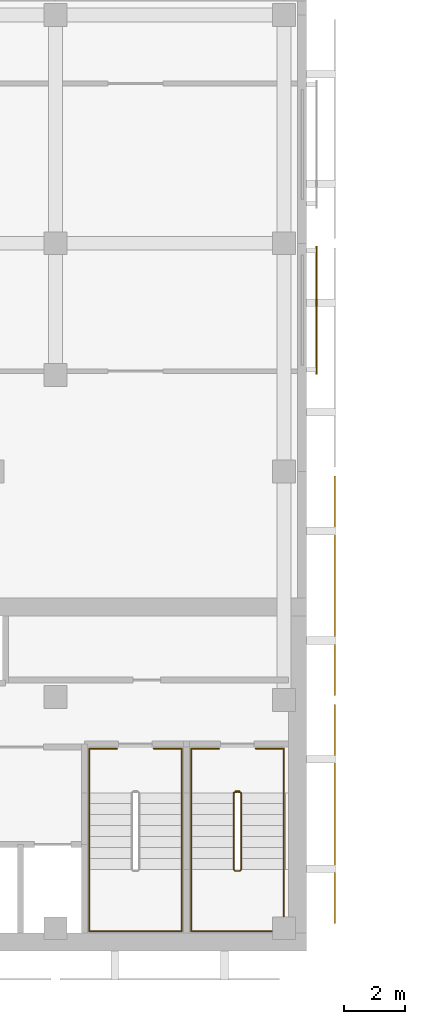
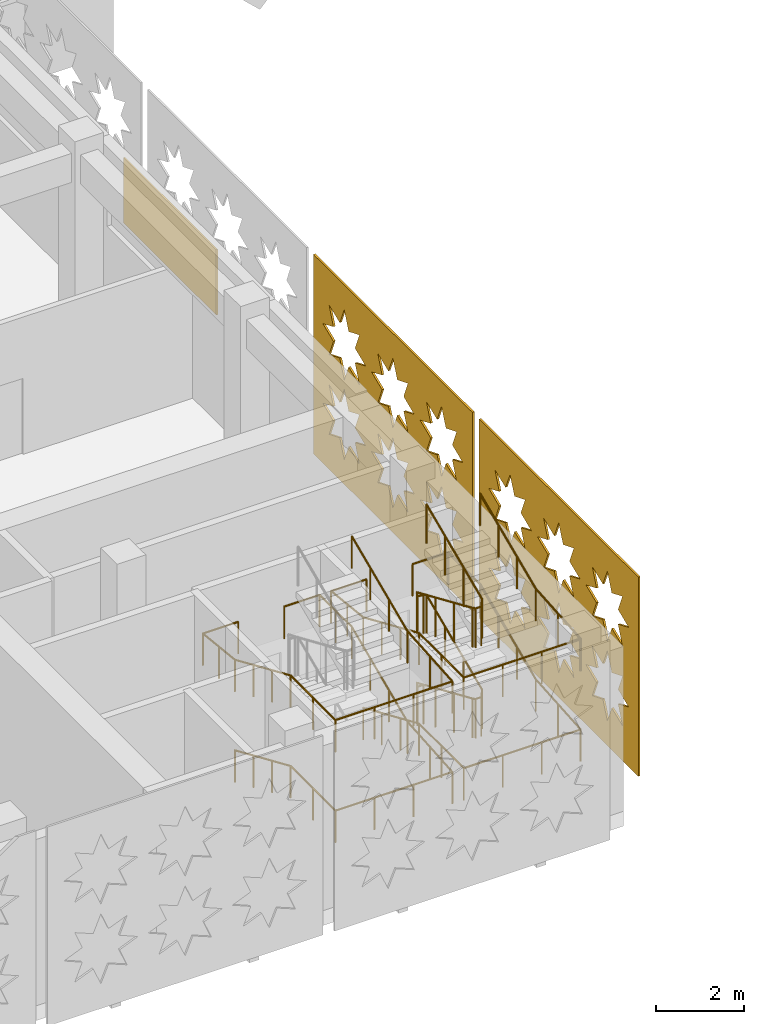
# One storey, part 31 of 40: 5 railings, 3 coverings.
"""IFC4 building model written with IfcOpenShell, lengths in metres."""

from ifc_helpers import new_model, si_unit, direction, frame, origin, origin_2d, place, context, subcontext, project, spatial, polyline, rectangle, circle, outline, extrude, material, layer, layer_set, type_object, element, save


model = new_model("IFC4")

# Units and contexts
model_context = context("Model", 3, precision=1e-05, world=origin(), true_north=direction((0.0, 1.0)))
body_context = subcontext(model_context, "Body", "Model", "MODEL_VIEW")
ifc_project = project(units=[si_unit("LENGTHUNIT", "METRE"), si_unit("AREAUNIT", "SQUARE_METRE"), si_unit("VOLUMEUNIT", "CUBIC_METRE"), si_unit("PLANEANGLEUNIT", "RADIAN"), si_unit("MASSUNIT", "GRAM", prefix="KILO")], contexts=[model_context])

# Site, building, storey
site_placement = place(None, origin())
site = spatial("IfcSite", under=ifc_project, at=site_placement, CompositionType="ELEMENT")
building_placement = place(site_placement, origin())
building = spatial("IfcBuilding", under=site, at=building_placement, Name="Tessera Arch", CompositionType="ELEMENT")
storey_placement = place(building_placement, frame((0.0, 0.0, 21.0)))
storey = spatial("IfcBuildingStorey", under=building, at=storey_placement, Name="L03", CompositionType="ELEMENT", Elevation=21.0)

# Coverings
ifc_material_1 = material(Name="Anodised aluminium pale metal", Category="aluminium")
ifc_layer_1 = layer(ifc_material_1, 0.050048828125)
ifc_layer_set_1 = layer_set([ifc_layer_1], Name="Museum lattice skin panel")
covering_type_1 = type_object("IfcCoveringType", Name="Museum lattice skin panel", PredefinedType="CLADDING", material=ifc_layer_set_1)
covering_1_placement = place(storey_placement, frame((14.85009765625, -31.64990234375, 5.60009765625), z_axis=(-1.0, 0.0, 0.0), x_axis=(0.0, 1.0, 0.0)))
element("IfcCovering", 1, at=covering_1_placement, inside=storey, type_object=covering_type_1, Name="Museum lattice skin L03 2-2", PredefinedType="CLADDING", context=body_context, shape_type="SweptSolid", body=[
    extrude(outline(polyline([(0.0, 0.0), (7.199951171875, 0.0), (7.199951171875, 5.5), (0.0, 5.5), (0.0, 0.0)]), holes=[polyline([(2.367919921875, 3.85009765625), (1.887939453125, 3.648193359375), (2.083984375, 3.166015625), (1.601806640625, 3.362060546875), (1.39990234375, 2.882080078125), (1.197998046875, 3.362060546875), (0.7158203125, 3.166015625), (0.911865234375, 3.648193359375), (0.431884765625, 3.85009765625), (0.911865234375, 4.052001953125), (0.7158203125, 4.5341796875), (1.197998046875, 4.338134765625), (1.39990234375, 4.818115234375), (1.601806640625, 4.338134765625), (2.083984375, 4.5341796875), (1.887939453125, 4.052001953125), (2.367919921875, 3.85009765625)]), polyline([(2.367919921875, 1.650146484375), (1.887939453125, 1.447998046875), (2.083984375, 0.966064453125), (1.601806640625, 1.162109375), (1.39990234375, 0.68212890625), (1.197998046875, 1.162109375), (0.7158203125, 0.966064453125), (0.911865234375, 1.447998046875), (0.431884765625, 1.650146484375), (0.911865234375, 1.85205078125), (0.7158203125, 2.333984375), (1.197998046875, 2.13818359375), (1.39990234375, 2.6181640625), (1.601806640625, 2.13818359375), (2.083984375, 2.333984375), (1.887939453125, 1.85205078125), (2.367919921875, 1.650146484375)]), polyline([(4.56787109375, 3.85009765625), (4.087890625, 3.648193359375), (4.283935546875, 3.166015625), (3.802001953125, 3.362060546875), (3.599853515625, 2.882080078125), (3.39794921875, 3.362060546875), (2.916015625, 3.166015625), (3.11181640625, 3.648193359375), (2.6318359375, 3.85009765625), (3.11181640625, 4.052001953125), (2.916015625, 4.5341796875), (3.39794921875, 4.338134765625), (3.599853515625, 4.818115234375), (3.802001953125, 4.338134765625), (4.283935546875, 4.5341796875), (4.087890625, 4.052001953125), (4.56787109375, 3.85009765625)]), polyline([(4.56787109375, 1.650146484375), (4.087890625, 1.447998046875), (4.283935546875, 0.966064453125), (3.802001953125, 1.162109375), (3.599853515625, 0.68212890625), (3.39794921875, 1.162109375), (2.916015625, 0.966064453125), (3.11181640625, 1.447998046875), (2.6318359375, 1.650146484375), (3.11181640625, 1.85205078125), (2.916015625, 2.333984375), (3.39794921875, 2.13818359375), (3.599853515625, 2.6181640625), (3.802001953125, 2.13818359375), (4.283935546875, 2.333984375), (4.087890625, 1.85205078125), (4.56787109375, 1.650146484375)]), polyline([(6.767822265625, 3.85009765625), (6.287841796875, 3.648193359375), (6.48388671875, 3.166015625), (6.001953125, 3.362060546875), (5.7998046875, 2.882080078125), (5.597900390625, 3.362060546875), (5.115966796875, 3.166015625), (5.31201171875, 3.648193359375), (4.831787109375, 3.85009765625), (5.31201171875, 4.052001953125), (5.115966796875, 4.5341796875), (5.597900390625, 4.338134765625), (5.7998046875, 4.818115234375), (6.001953125, 4.338134765625), (6.48388671875, 4.5341796875), (6.287841796875, 4.052001953125), (6.767822265625, 3.85009765625)]), polyline([(6.767822265625, 1.650146484375), (6.287841796875, 1.447998046875), (6.48388671875, 0.966064453125), (6.001953125, 1.162109375), (5.7998046875, 0.68212890625), (5.597900390625, 1.162109375), (5.115966796875, 0.966064453125), (5.31201171875, 1.447998046875), (4.831787109375, 1.650146484375), (5.31201171875, 1.85205078125), (5.115966796875, 2.333984375), (5.597900390625, 2.13818359375), (5.7998046875, 2.6181640625), (6.001953125, 2.13818359375), (6.48388671875, 2.333984375), (6.287841796875, 1.85205078125), (6.767822265625, 1.650146484375)])]), origin(), (0.0, 0.0, -1.0), 0.050048828125),
])
covering_2_placement = place(storey_placement, frame((14.85009765625, -24.14990234375, 5.60009765625), z_axis=(-1.0, 0.0, 0.0), x_axis=(0.0, 1.0, 0.0)))
element("IfcCovering", 2, at=covering_2_placement, inside=storey, type_object=covering_type_1, Name="Museum lattice skin L03 2-3", PredefinedType="CLADDING", context=body_context, shape_type="SweptSolid", body=[
    extrude(outline(polyline([(0.0, 0.0), (7.199951171875, 0.0), (7.199951171875, 5.5), (0.0, 5.5), (0.0, 0.0)]), holes=[polyline([(2.367919921875, 3.85009765625), (1.887939453125, 3.648193359375), (2.083984375, 3.166015625), (1.601806640625, 3.362060546875), (1.39990234375, 2.882080078125), (1.197998046875, 3.362060546875), (0.7158203125, 3.166015625), (0.911865234375, 3.648193359375), (0.431884765625, 3.85009765625), (0.911865234375, 4.052001953125), (0.7158203125, 4.5341796875), (1.197998046875, 4.338134765625), (1.39990234375, 4.818115234375), (1.601806640625, 4.338134765625), (2.083984375, 4.5341796875), (1.887939453125, 4.052001953125), (2.367919921875, 3.85009765625)]), polyline([(2.367919921875, 1.650146484375), (1.887939453125, 1.447998046875), (2.083984375, 0.966064453125), (1.601806640625, 1.162109375), (1.39990234375, 0.68212890625), (1.197998046875, 1.162109375), (0.7158203125, 0.966064453125), (0.911865234375, 1.447998046875), (0.431884765625, 1.650146484375), (0.911865234375, 1.85205078125), (0.7158203125, 2.333984375), (1.197998046875, 2.13818359375), (1.39990234375, 2.6181640625), (1.601806640625, 2.13818359375), (2.083984375, 2.333984375), (1.887939453125, 1.85205078125), (2.367919921875, 1.650146484375)]), polyline([(4.56787109375, 3.85009765625), (4.087890625, 3.648193359375), (4.283935546875, 3.166015625), (3.802001953125, 3.362060546875), (3.599853515625, 2.882080078125), (3.39794921875, 3.362060546875), (2.916015625, 3.166015625), (3.11181640625, 3.648193359375), (2.6318359375, 3.85009765625), (3.11181640625, 4.052001953125), (2.916015625, 4.5341796875), (3.39794921875, 4.338134765625), (3.599853515625, 4.818115234375), (3.802001953125, 4.338134765625), (4.283935546875, 4.5341796875), (4.087890625, 4.052001953125), (4.56787109375, 3.85009765625)]), polyline([(4.56787109375, 1.650146484375), (4.087890625, 1.447998046875), (4.283935546875, 0.966064453125), (3.802001953125, 1.162109375), (3.599853515625, 0.68212890625), (3.39794921875, 1.162109375), (2.916015625, 0.966064453125), (3.11181640625, 1.447998046875), (2.6318359375, 1.650146484375), (3.11181640625, 1.85205078125), (2.916015625, 2.333984375), (3.39794921875, 2.13818359375), (3.599853515625, 2.6181640625), (3.802001953125, 2.13818359375), (4.283935546875, 2.333984375), (4.087890625, 1.85205078125), (4.56787109375, 1.650146484375)]), polyline([(6.767822265625, 3.85009765625), (6.287841796875, 3.648193359375), (6.48388671875, 3.166015625), (6.001953125, 3.362060546875), (5.7998046875, 2.882080078125), (5.597900390625, 3.362060546875), (5.115966796875, 3.166015625), (5.31201171875, 3.648193359375), (4.831787109375, 3.85009765625), (5.31201171875, 4.052001953125), (5.115966796875, 4.5341796875), (5.597900390625, 4.338134765625), (5.7998046875, 4.818115234375), (6.001953125, 4.338134765625), (6.48388671875, 4.5341796875), (6.287841796875, 4.052001953125), (6.767822265625, 3.85009765625)]), polyline([(6.767822265625, 1.650146484375), (6.287841796875, 1.447998046875), (6.48388671875, 0.966064453125), (6.001953125, 1.162109375), (5.7998046875, 0.68212890625), (5.597900390625, 1.162109375), (5.115966796875, 0.966064453125), (5.31201171875, 1.447998046875), (4.831787109375, 1.650146484375), (5.31201171875, 1.85205078125), (5.115966796875, 2.333984375), (5.597900390625, 2.13818359375), (5.7998046875, 2.6181640625), (6.001953125, 2.13818359375), (6.48388671875, 2.333984375), (6.287841796875, 1.85205078125), (6.767822265625, 1.650146484375)])]), origin(), (0.0, 0.0, -1.0), 0.050048828125),
])
ifc_material_2 = material(Name="Anodised aluminium pale metal", Category="aluminium")
ifc_layer_2 = layer(ifc_material_2, 0.0400390625)
ifc_layer_set_2 = layer_set([ifc_layer_2], Name="Museum screen panel")
covering_type_2 = type_object("IfcCoveringType", Name="Museum screen panel", PredefinedType="CLADDING", material=ifc_layer_set_2)
covering_3_placement = place(storey_placement, frame((14.27001953125, -11.5, 2.10009765625), z_axis=(0.0, 0.0, 1.0), x_axis=(0.0, 1.0, 0.0)))
element("IfcCovering", 3, at=covering_3_placement, inside=storey, type_object=covering_type_2, Name="Screen panel museum L03 2-4", PredefinedType="CLADDING", context=body_context, shape_type="SweptSolid", body=[
    extrude(rectangle(XDim=4.199951171875, YDim=0.0400390625, at=origin_2d()), origin(), (0.0, 0.0, 1.0), 1.800048828125),
])

# Railings
ifc_material_3 = material(Name="Painted steel balustrade", Category="steel")
railing_type_1 = type_object("IfcRailingType", Name="Stair guard 1100", PredefinedType="GUARDRAIL", material=ifc_material_3)
railing_1_placement = place(storey_placement, frame((11.60009765625, -27.300048828125, 0.0)))
element("IfcRailing", 4, at=railing_1_placement, inside=storey, type_object=railing_type_1, Name="L03 M3a stair guard 1", PredefinedType="GUARDRAIL", context=body_context, shape_type="SweptSolid", body=[
    extrude(circle(Radius=0.02392578125, at=origin_2d()), frame((-0.00390625, 0.0, 1.076171875), z_axis=(1.0, 0.0, 0.0), x_axis=(0.0, 1.0, 0.0)), (0.0, 0.0, 1.0), 0.157958984375),
    extrude(circle(Radius=0.02392578125, at=origin_2d()), frame((0.153076171875, 0.000732421875, 1.07373046875), z_axis=(-0.77305925043, -0.19350078918, 0.604100024756), x_axis=(0.242814311512, -0.970072785993, 0.0)), (0.0, 0.0, 1.0), 0.2666015625),
    extrude(circle(Radius=0.02392578125, at=origin_2d()), frame((-0.050048828125, -0.04638671875, 1.230712890625), z_axis=(0.0, -0.917324189904, 0.398141093855), x_axis=(1.0, 0.0, 0.0)), (0.0, 0.0, 1.0), 2.755126953125),
    extrude(circle(Radius=0.02392578125, at=origin_2d()), frame((-0.052978515625, -2.567138671875, 2.326171875), z_axis=(0.708833529934, -0.705375805398, 0.0), x_axis=(0.705375805398, 0.708833529934, 0.0)), (0.0, 0.0, 1.0), 0.07861328125),
    extrude(circle(Radius=0.02392578125, at=origin_2d()), frame((-0.00390625, -2.619873046875, 2.326171875), z_axis=(1.0, 0.0, 0.0), x_axis=(0.0, 1.0, 0.0)), (0.0, 0.0, 1.0), 0.157958984375),
    extrude(circle(Radius=0.02392578125, at=origin_2d()), frame((0.148681640625, -2.62109375, 2.322509765625), z_axis=(0.291893400672, 0.290469530425, 0.911276958196), x_axis=(-0.705375805398, 0.708833529934, 0.0)), (0.0, 0.0, 1.0), 0.179443359375),
    extrude(circle(Radius=0.02392578125, at=origin_2d()), frame((0.199951171875, -2.57373046875, 2.480712890625), z_axis=(0.0, 0.917324189904, 0.398141093855), x_axis=(-1.0, 0.0, 0.0)), (0.0, 0.0, 1.0), 2.755126953125),
    extrude(circle(Radius=0.02392578125, at=origin_2d()), frame((0.203857421875, -0.051025390625, 3.576171875), z_axis=(-0.970072785993, 0.242814311512, 0.0), x_axis=(-0.242814311512, -0.970072785993, 0.0)), (0.0, 0.0, 1.0), 0.214111328125),
    extrude(circle(Radius=0.02392578125, at=origin_2d()), frame((-0.00390625, 0.0, 3.576171875), z_axis=(1.0, 0.0, 0.0), x_axis=(0.0, 1.0, 0.0)), (0.0, 0.0, 1.0), 0.157958984375),
    extrude(circle(Radius=0.02392578125, at=origin_2d()), frame((0.153076171875, 0.000732421875, 3.57373046875), z_axis=(-0.77305925043, -0.19350078918, 0.604100024756), x_axis=(0.242814311512, -0.970072785993, 0.0)), (0.0, 0.0, 1.0), 0.2666015625),
    extrude(circle(Radius=0.02392578125, at=origin_2d()), frame((-0.050048828125, -0.04638671875, 3.730712890625), z_axis=(0.0, -0.917324189904, 0.398141093855), x_axis=(1.0, 0.0, 0.0)), (0.0, 0.0, 1.0), 2.755126953125),
    extrude(circle(Radius=0.02392578125, at=origin_2d()), frame((-0.052978515625, -2.567138671875, 4.826171875), z_axis=(0.708833529934, -0.705375805398, 0.0), x_axis=(0.705375805398, 0.708833529934, 0.0)), (0.0, 0.0, 1.0), 0.07861328125),
    extrude(circle(Radius=0.02392578125, at=origin_2d()), frame((-0.00390625, -2.619873046875, 4.826171875), z_axis=(1.0, 0.0, 0.0), x_axis=(0.0, 1.0, 0.0)), (0.0, 0.0, 1.0), 0.157958984375),
    extrude(circle(Radius=0.02392578125, at=origin_2d()), frame((0.148681640625, -2.62109375, 4.822509765625), z_axis=(0.291893400672, 0.290469530425, 0.911276958196), x_axis=(-0.705375805398, 0.708833529934, 0.0)), (0.0, 0.0, 1.0), 0.179443359375),
    extrude(circle(Radius=0.02392578125, at=origin_2d()), frame((0.199951171875, -2.57373046875, 4.980712890625), z_axis=(0.0, 0.917324189904, 0.398141093855), x_axis=(-1.0, 0.0, 0.0)), (0.0, 0.0, 1.0), 2.755126953125),
    extrude(circle(Radius=0.02099609375, at=origin_2d()), origin(), (0.0, 0.0, 1.0), 1.06396484375),
    extrude(circle(Radius=0.02099609375, at=origin_2d()), frame((0.14990234375, 0.0, 0.0)), (0.0, 0.0, 1.0), 1.06396484375),
    extrude(circle(Radius=0.02099609375, at=origin_2d()), frame((-0.050048828125, -0.050048828125, 0.15625)), (0.0, 0.0, 1.0), 1.06396484375),
    extrude(circle(Radius=0.02099609375, at=origin_2d()), frame((-0.050048828125, -0.89013671875, 0.520751953125)), (0.0, 0.0, 1.0), 1.06396484375),
    extrude(circle(Radius=0.02099609375, at=origin_2d()), frame((-0.050048828125, -1.72998046875, 0.885498046875)), (0.0, 0.0, 1.0), 1.06396484375),
    extrude(circle(Radius=0.02099609375, at=origin_2d()), frame((-0.050048828125, -2.570068359375, 1.25)), (0.0, 0.0, 1.0), 1.06396484375),
    extrude(circle(Radius=0.02099609375, at=origin_2d()), frame((0.0, -2.619873046875, 1.25)), (0.0, 0.0, 1.0), 1.06396484375),
    extrude(circle(Radius=0.02099609375, at=origin_2d()), frame((0.14990234375, -2.619873046875, 1.25)), (0.0, 0.0, 1.0), 1.06396484375),
    extrude(circle(Radius=0.02099609375, at=origin_2d()), frame((0.199951171875, -2.570068359375, 1.40625)), (0.0, 0.0, 1.0), 1.06396484375),
    extrude(circle(Radius=0.02099609375, at=origin_2d()), frame((0.199951171875, -1.72998046875, 1.770751953125)), (0.0, 0.0, 1.0), 1.06396484375),
    extrude(circle(Radius=0.02099609375, at=origin_2d()), frame((0.199951171875, -0.89013671875, 2.135498046875)), (0.0, 0.0, 1.0), 1.06396484375),
    extrude(circle(Radius=0.02099609375, at=origin_2d()), frame((0.199951171875, -0.050048828125, 2.5)), (0.0, 0.0, 1.0), 1.06396484375),
    extrude(circle(Radius=0.02099609375, at=origin_2d()), frame((0.0, 0.0, 2.5)), (0.0, 0.0, 1.0), 1.06396484375),
    extrude(circle(Radius=0.02099609375, at=origin_2d()), frame((0.14990234375, 0.0, 2.5)), (0.0, 0.0, 1.0), 1.06396484375),
    extrude(circle(Radius=0.02099609375, at=origin_2d()), frame((-0.050048828125, -0.050048828125, 2.65625)), (0.0, 0.0, 1.0), 1.06396484375),
    extrude(circle(Radius=0.02099609375, at=origin_2d()), frame((-0.050048828125, -0.89013671875, 3.020751953125)), (0.0, 0.0, 1.0), 1.06396484375),
    extrude(circle(Radius=0.02099609375, at=origin_2d()), frame((-0.050048828125, -1.72998046875, 3.385498046875)), (0.0, 0.0, 1.0), 1.06396484375),
    extrude(circle(Radius=0.02099609375, at=origin_2d()), frame((-0.050048828125, -2.570068359375, 3.75)), (0.0, 0.0, 1.0), 1.06396484375),
    extrude(circle(Radius=0.02099609375, at=origin_2d()), frame((0.0, -2.619873046875, 3.75)), (0.0, 0.0, 1.0), 1.06396484375),
    extrude(circle(Radius=0.02099609375, at=origin_2d()), frame((0.14990234375, -2.619873046875, 3.75)), (0.0, 0.0, 1.0), 1.06396484375),
    extrude(circle(Radius=0.02099609375, at=origin_2d()), frame((0.199951171875, -2.570068359375, 3.90625)), (0.0, 0.0, 1.0), 1.06396484375),
    extrude(circle(Radius=0.02099609375, at=origin_2d()), frame((0.199951171875, -1.72998046875, 4.270751953125)), (0.0, 0.0, 1.0), 1.06396484375),
    extrude(circle(Radius=0.02099609375, at=origin_2d()), frame((0.199951171875, -0.89013671875, 4.635498046875)), (0.0, 0.0, 1.0), 1.06396484375),
    extrude(circle(Radius=0.02099609375, at=origin_2d()), frame((0.199951171875, -0.050048828125, 5.0)), (0.0, 0.0, 1.0), 1.06396484375),
])
ifc_material_4 = material(Name="Painted steel handrail", Category="steel")
railing_type_2 = type_object("IfcRailingType", Name="Stair handrail 900", PredefinedType="HANDRAIL", material=ifc_material_4)
railing_2_placement = place(storey_placement, frame((10.14990234375, -27.35009765625, 0.15625)))
element("IfcRailing", 5, at=railing_2_placement, inside=storey, type_object=railing_type_2, Name="L03 M3a stair handrail", PredefinedType="HANDRAIL", context=body_context, shape_type="SweptSolid", body=[
    extrude(circle(Radius=0.02392578125, at=origin_2d()), frame((0.0, 0.003662109375, 0.874267578125), z_axis=(0.0, -0.917324189904, 0.398141093855), x_axis=(1.0, 0.0, 0.0)), (0.0, 0.0, 1.0), 2.755126953125),
    extrude(circle(Radius=0.02392578125, at=origin_2d()), frame((0.0, -2.51611328125, 1.9697265625), z_axis=(0.0, -1.0, 0.0), x_axis=(1.0, 0.0, 0.0)), (0.0, 0.0, 1.0), 2.037841796875),
    extrude(circle(Radius=0.02392578125, at=origin_2d()), frame((-0.00390625, -4.5498046875, 1.9697265625), z_axis=(1.0, 0.0, 0.0), x_axis=(0.0, 1.0, 0.0)), (0.0, 0.0, 1.0), 3.05810546875),
    extrude(circle(Radius=0.02392578125, at=origin_2d()), frame((3.050048828125, -4.5537109375, 1.96923828125), z_axis=(0.0, 0.997050251363, 0.076751522838), x_axis=(-1.0, 0.0, 0.0)), (0.0, 0.0, 1.0), 2.043701171875),
    extrude(circle(Radius=0.02392578125, at=origin_2d()), frame((3.050048828125, -2.523681640625, 2.124267578125), z_axis=(0.0, 0.917324189904, 0.398141093855), x_axis=(-1.0, 0.0, 0.0)), (0.0, 0.0, 1.0), 2.755126953125),
    extrude(circle(Radius=0.02392578125, at=origin_2d()), frame((3.050048828125, -0.00390625, 3.2197265625), z_axis=(0.0, 1.0, 0.0), x_axis=(-1.0, 0.0, 0.0)), (0.0, 0.0, 1.0), 1.458251953125),
    extrude(circle(Radius=0.02392578125, at=origin_2d()), frame((3.053955078125, 1.4501953125, 3.2197265625), z_axis=(-1.0, 0.0, 0.0), x_axis=(0.0, -1.0, 0.0)), (0.0, 0.0, 1.0), 0.93310546875),
    extrude(circle(Radius=0.02099609375, at=origin_2d()), origin(), (0.0, 0.0, 1.0), 0.86376953125),
    extrude(circle(Radius=0.02099609375, at=origin_2d()), frame((0.0, -0.840087890625, 0.364501953125)), (0.0, 0.0, 1.0), 0.86376953125),
    extrude(circle(Radius=0.02099609375, at=origin_2d()), frame((0.0, -1.679931640625, 0.729248046875)), (0.0, 0.0, 1.0), 0.86376953125),
    extrude(circle(Radius=0.02099609375, at=origin_2d()), frame((0.0, -2.52001953125, 1.09375)), (0.0, 0.0, 1.0), 0.86376953125),
    extrude(circle(Radius=0.02099609375, at=origin_2d()), frame((0.0, -3.534912109375, 1.09375)), (0.0, 0.0, 1.0), 0.86376953125),
    extrude(circle(Radius=0.02099609375, at=origin_2d()), frame((0.0, -4.5498046875, 1.09375)), (0.0, 0.0, 1.0), 0.86376953125),
    extrude(circle(Radius=0.02099609375, at=origin_2d()), frame((1.0166015625, -4.5498046875, 1.09375)), (0.0, 0.0, 1.0), 0.86376953125),
    extrude(circle(Radius=0.02099609375, at=origin_2d()), frame((2.033447265625, -4.5498046875, 1.09375)), (0.0, 0.0, 1.0), 0.86376953125),
    extrude(circle(Radius=0.02099609375, at=origin_2d()), frame((3.050048828125, -4.5498046875, 1.09375)), (0.0, 0.0, 1.0), 0.86376953125),
    extrude(circle(Radius=0.02099609375, at=origin_2d()), frame((3.050048828125, -3.534912109375, 1.171875)), (0.0, 0.0, 1.0), 0.86376953125),
    extrude(circle(Radius=0.02099609375, at=origin_2d()), frame((3.050048828125, -2.52001953125, 1.25)), (0.0, 0.0, 1.0), 0.86376953125),
    extrude(circle(Radius=0.02099609375, at=origin_2d()), frame((3.050048828125, -1.679931640625, 1.614501953125)), (0.0, 0.0, 1.0), 0.86376953125),
    extrude(circle(Radius=0.02099609375, at=origin_2d()), frame((3.050048828125, -0.840087890625, 1.979248046875)), (0.0, 0.0, 1.0), 0.86376953125),
    extrude(circle(Radius=0.02099609375, at=origin_2d()), frame((3.050048828125, 0.0, 2.34375)), (0.0, 0.0, 1.0), 0.86376953125),
    extrude(circle(Radius=0.02099609375, at=origin_2d()), frame((3.050048828125, 0.72509765625, 2.34375)), (0.0, 0.0, 1.0), 0.86376953125),
    extrude(circle(Radius=0.02099609375, at=origin_2d()), frame((3.050048828125, 1.4501953125, 2.34375)), (0.0, 0.0, 1.0), 0.86376953125),
    extrude(circle(Radius=0.02099609375, at=origin_2d()), frame((2.125, 1.4501953125, 2.34375)), (0.0, 0.0, 1.0), 0.86376953125),
])
railing_3_placement = place(storey_placement, frame((11.074951171875, -25.89990234375, 2.5)))
element("IfcRailing", 6, at=railing_3_placement, inside=storey, type_object=railing_type_2, Name="L03 M3a stair handrail 2", PredefinedType="HANDRAIL", context=body_context, shape_type="SweptSolid", body=[
    extrude(circle(Radius=0.02392578125, at=origin_2d()), frame((0.00390625, 0.0, 0.8759765625), z_axis=(-1.0, 0.0, 0.0), x_axis=(0.0, -1.0, 0.0)), (0.0, 0.0, 1.0), 0.93310546875),
    extrude(circle(Radius=0.02392578125, at=origin_2d()), frame((-0.925048828125, 0.00390625, 0.87548828125), z_axis=(0.0, -0.994245656174, 0.107124111103), x_axis=(1.0, 0.0, 0.0)), (0.0, 0.0, 1.0), 1.466552734375),
    extrude(circle(Radius=0.02392578125, at=origin_2d()), frame((-0.925048828125, -1.446533203125, 1.030517578125), z_axis=(0.0, -0.917324189904, 0.398141093855), x_axis=(1.0, 0.0, 0.0)), (0.0, 0.0, 1.0), 2.755126953125),
    extrude(circle(Radius=0.02392578125, at=origin_2d()), frame((-0.925048828125, -3.96630859375, 2.1259765625), z_axis=(0.0, -1.0, 0.0), x_axis=(1.0, 0.0, 0.0)), (0.0, 0.0, 1.0), 2.037841796875),
    extrude(circle(Radius=0.02392578125, at=origin_2d()), frame((-0.928955078125, -6.0, 2.1259765625), z_axis=(1.0, 0.0, 0.0), x_axis=(0.0, 1.0, 0.0)), (0.0, 0.0, 1.0), 3.05810546875),
    extrude(circle(Radius=0.02392578125, at=origin_2d()), frame((2.125, -6.00390625, 2.12548828125), z_axis=(0.0, 0.997050251363, 0.076751522838), x_axis=(-1.0, 0.0, 0.0)), (0.0, 0.0, 1.0), 2.043701171875),
    extrude(circle(Radius=0.02392578125, at=origin_2d()), frame((2.125, -3.973876953125, 2.280517578125), z_axis=(0.0, 0.917324189904, 0.398141093855), x_axis=(-1.0, 0.0, 0.0)), (0.0, 0.0, 1.0), 2.755126953125),
    extrude(circle(Radius=0.02099609375, at=origin_2d()), origin(), (0.0, 0.0, 1.0), 0.86376953125),
    extrude(circle(Radius=0.02099609375, at=origin_2d()), frame((-0.925048828125, 0.0, 0.0)), (0.0, 0.0, 1.0), 0.86376953125),
    extrude(circle(Radius=0.02099609375, at=origin_2d()), frame((-0.925048828125, -0.72509765625, 0.078125)), (0.0, 0.0, 1.0), 0.86376953125),
    extrude(circle(Radius=0.02099609375, at=origin_2d()), frame((-0.925048828125, -1.4501953125, 0.15625)), (0.0, 0.0, 1.0), 0.86376953125),
    extrude(circle(Radius=0.02099609375, at=origin_2d()), frame((-0.925048828125, -2.290283203125, 0.520751953125)), (0.0, 0.0, 1.0), 0.86376953125),
    extrude(circle(Radius=0.02099609375, at=origin_2d()), frame((-0.925048828125, -3.130126953125, 0.885498046875)), (0.0, 0.0, 1.0), 0.86376953125),
    extrude(circle(Radius=0.02099609375, at=origin_2d()), frame((-0.925048828125, -3.97021484375, 1.25)), (0.0, 0.0, 1.0), 0.86376953125),
    extrude(circle(Radius=0.02099609375, at=origin_2d()), frame((-0.925048828125, -4.985107421875, 1.25)), (0.0, 0.0, 1.0), 0.86376953125),
    extrude(circle(Radius=0.02099609375, at=origin_2d()), frame((-0.925048828125, -6.0, 1.25)), (0.0, 0.0, 1.0), 0.86376953125),
    extrude(circle(Radius=0.02099609375, at=origin_2d()), frame((0.091552734375, -6.0, 1.25)), (0.0, 0.0, 1.0), 0.86376953125),
    extrude(circle(Radius=0.02099609375, at=origin_2d()), frame((1.1083984375, -6.0, 1.25)), (0.0, 0.0, 1.0), 0.86376953125),
    extrude(circle(Radius=0.02099609375, at=origin_2d()), frame((2.125, -6.0, 1.25)), (0.0, 0.0, 1.0), 0.86376953125),
    extrude(circle(Radius=0.02099609375, at=origin_2d()), frame((2.125, -4.985107421875, 1.328125)), (0.0, 0.0, 1.0), 0.86376953125),
    extrude(circle(Radius=0.02099609375, at=origin_2d()), frame((2.125, -3.97021484375, 1.40625)), (0.0, 0.0, 1.0), 0.86376953125),
    extrude(circle(Radius=0.02099609375, at=origin_2d()), frame((2.125, -3.130126953125, 1.770751953125)), (0.0, 0.0, 1.0), 0.86376953125),
    extrude(circle(Radius=0.02099609375, at=origin_2d()), frame((2.125, -2.290283203125, 2.135498046875)), (0.0, 0.0, 1.0), 0.86376953125),
    extrude(circle(Radius=0.02099609375, at=origin_2d()), frame((2.125, -1.4501953125, 2.5)), (0.0, 0.0, 1.0), 0.86376953125),
])
railing_4_placement = place(storey_placement, frame((6.800048828125, -27.35009765625, 0.15625)))
element("IfcRailing", 7, at=railing_4_placement, inside=storey, type_object=railing_type_2, Name="L03 M3b stair handrail", PredefinedType="HANDRAIL", context=body_context, shape_type="SweptSolid", body=[
    extrude(circle(Radius=0.02392578125, at=origin_2d()), frame((0.0, 0.003662109375, 0.874267578125), z_axis=(0.0, -0.917324189904, 0.398141093855), x_axis=(1.0, 0.0, 0.0)), (0.0, 0.0, 1.0), 2.755126953125),
    extrude(circle(Radius=0.02392578125, at=origin_2d()), frame((0.0, -2.51611328125, 1.9697265625), z_axis=(0.0, -1.0, 0.0), x_axis=(1.0, 0.0, 0.0)), (0.0, 0.0, 1.0), 2.037841796875),
    extrude(circle(Radius=0.02392578125, at=origin_2d()), frame((-0.00390625, -4.5498046875, 1.9697265625), z_axis=(1.0, 0.0, 0.0), x_axis=(0.0, 1.0, 0.0)), (0.0, 0.0, 1.0), 3.05810546875),
    extrude(circle(Radius=0.02392578125, at=origin_2d()), frame((3.050048828125, -4.5537109375, 1.96923828125), z_axis=(0.0, 0.997050251363, 0.076751522838), x_axis=(-1.0, 0.0, 0.0)), (0.0, 0.0, 1.0), 2.043701171875),
    extrude(circle(Radius=0.02392578125, at=origin_2d()), frame((3.050048828125, -2.523681640625, 2.124267578125), z_axis=(0.0, 0.917324189904, 0.398141093855), x_axis=(-1.0, 0.0, 0.0)), (0.0, 0.0, 1.0), 2.755126953125),
    extrude(circle(Radius=0.02392578125, at=origin_2d()), frame((3.050048828125, -0.00390625, 3.2197265625), z_axis=(0.0, 1.0, 0.0), x_axis=(-1.0, 0.0, 0.0)), (0.0, 0.0, 1.0), 1.458251953125),
    extrude(circle(Radius=0.02392578125, at=origin_2d()), frame((3.053955078125, 1.4501953125, 3.2197265625), z_axis=(-1.0, 0.0, 0.0), x_axis=(0.0, -1.0, 0.0)), (0.0, 0.0, 1.0), 0.93310546875),
    extrude(circle(Radius=0.02099609375, at=origin_2d()), origin(), (0.0, 0.0, 1.0), 0.86376953125),
    extrude(circle(Radius=0.02099609375, at=origin_2d()), frame((0.0, -0.840087890625, 0.364501953125)), (0.0, 0.0, 1.0), 0.86376953125),
    extrude(circle(Radius=0.02099609375, at=origin_2d()), frame((0.0, -1.679931640625, 0.729248046875)), (0.0, 0.0, 1.0), 0.86376953125),
    extrude(circle(Radius=0.02099609375, at=origin_2d()), frame((0.0, -2.52001953125, 1.09375)), (0.0, 0.0, 1.0), 0.86376953125),
    extrude(circle(Radius=0.02099609375, at=origin_2d()), frame((0.0, -3.534912109375, 1.09375)), (0.0, 0.0, 1.0), 0.86376953125),
    extrude(circle(Radius=0.02099609375, at=origin_2d()), frame((0.0, -4.5498046875, 1.09375)), (0.0, 0.0, 1.0), 0.86376953125),
    extrude(circle(Radius=0.02099609375, at=origin_2d()), frame((1.0166015625, -4.5498046875, 1.09375)), (0.0, 0.0, 1.0), 0.86376953125),
    extrude(circle(Radius=0.02099609375, at=origin_2d()), frame((2.033447265625, -4.5498046875, 1.09375)), (0.0, 0.0, 1.0), 0.86376953125),
    extrude(circle(Radius=0.02099609375, at=origin_2d()), frame((3.050048828125, -4.5498046875, 1.09375)), (0.0, 0.0, 1.0), 0.86376953125),
    extrude(circle(Radius=0.02099609375, at=origin_2d()), frame((3.050048828125, -3.534912109375, 1.171875)), (0.0, 0.0, 1.0), 0.86376953125),
    extrude(circle(Radius=0.02099609375, at=origin_2d()), frame((3.050048828125, -2.52001953125, 1.25)), (0.0, 0.0, 1.0), 0.86376953125),
    extrude(circle(Radius=0.02099609375, at=origin_2d()), frame((3.050048828125, -1.679931640625, 1.614501953125)), (0.0, 0.0, 1.0), 0.86376953125),
    extrude(circle(Radius=0.02099609375, at=origin_2d()), frame((3.050048828125, -0.840087890625, 1.979248046875)), (0.0, 0.0, 1.0), 0.86376953125),
    extrude(circle(Radius=0.02099609375, at=origin_2d()), frame((3.050048828125, 0.0, 2.34375)), (0.0, 0.0, 1.0), 0.86376953125),
    extrude(circle(Radius=0.02099609375, at=origin_2d()), frame((3.050048828125, 0.72509765625, 2.34375)), (0.0, 0.0, 1.0), 0.86376953125),
    extrude(circle(Radius=0.02099609375, at=origin_2d()), frame((3.050048828125, 1.4501953125, 2.34375)), (0.0, 0.0, 1.0), 0.86376953125),
    extrude(circle(Radius=0.02099609375, at=origin_2d()), frame((2.125, 1.4501953125, 2.34375)), (0.0, 0.0, 1.0), 0.86376953125),
])
railing_5_placement = place(storey_placement, frame((7.72509765625, -25.89990234375, 2.5)))
element("IfcRailing", 8, at=railing_5_placement, inside=storey, type_object=railing_type_2, Name="L03 M3b stair handrail 2", PredefinedType="HANDRAIL", context=body_context, shape_type="SweptSolid", body=[
    extrude(circle(Radius=0.02392578125, at=origin_2d()), frame((0.00390625, 0.0, 0.8759765625), z_axis=(-1.0, 0.0, 0.0), x_axis=(0.0, -1.0, 0.0)), (0.0, 0.0, 1.0), 0.93310546875),
    extrude(circle(Radius=0.02392578125, at=origin_2d()), frame((-0.925048828125, 0.00390625, 0.87548828125), z_axis=(0.0, -0.994245656174, 0.107124111103), x_axis=(1.0, 0.0, 0.0)), (0.0, 0.0, 1.0), 1.466552734375),
    extrude(circle(Radius=0.02392578125, at=origin_2d()), frame((-0.925048828125, -1.446533203125, 1.030517578125), z_axis=(0.0, -0.917324189904, 0.398141093855), x_axis=(1.0, 0.0, 0.0)), (0.0, 0.0, 1.0), 2.755126953125),
    extrude(circle(Radius=0.02392578125, at=origin_2d()), frame((-0.925048828125, -3.96630859375, 2.1259765625), z_axis=(0.0, -1.0, 0.0), x_axis=(1.0, 0.0, 0.0)), (0.0, 0.0, 1.0), 2.037841796875),
    extrude(circle(Radius=0.02392578125, at=origin_2d()), frame((-0.928955078125, -6.0, 2.1259765625), z_axis=(1.0, 0.0, 0.0), x_axis=(0.0, 1.0, 0.0)), (0.0, 0.0, 1.0), 3.05810546875),
    extrude(circle(Radius=0.02392578125, at=origin_2d()), frame((2.125, -6.00390625, 2.12548828125), z_axis=(0.0, 0.997050251363, 0.076751522838), x_axis=(-1.0, 0.0, 0.0)), (0.0, 0.0, 1.0), 2.043701171875),
    extrude(circle(Radius=0.02392578125, at=origin_2d()), frame((2.125, -3.973876953125, 2.280517578125), z_axis=(0.0, 0.917324189904, 0.398141093855), x_axis=(-1.0, 0.0, 0.0)), (0.0, 0.0, 1.0), 2.755126953125),
    extrude(circle(Radius=0.02099609375, at=origin_2d()), origin(), (0.0, 0.0, 1.0), 0.86376953125),
    extrude(circle(Radius=0.02099609375, at=origin_2d()), frame((-0.925048828125, 0.0, 0.0)), (0.0, 0.0, 1.0), 0.86376953125),
    extrude(circle(Radius=0.02099609375, at=origin_2d()), frame((-0.925048828125, -0.72509765625, 0.078125)), (0.0, 0.0, 1.0), 0.86376953125),
    extrude(circle(Radius=0.02099609375, at=origin_2d()), frame((-0.925048828125, -1.4501953125, 0.15625)), (0.0, 0.0, 1.0), 0.86376953125),
    extrude(circle(Radius=0.02099609375, at=origin_2d()), frame((-0.925048828125, -2.290283203125, 0.520751953125)), (0.0, 0.0, 1.0), 0.86376953125),
    extrude(circle(Radius=0.02099609375, at=origin_2d()), frame((-0.925048828125, -3.130126953125, 0.885498046875)), (0.0, 0.0, 1.0), 0.86376953125),
    extrude(circle(Radius=0.02099609375, at=origin_2d()), frame((-0.925048828125, -3.97021484375, 1.25)), (0.0, 0.0, 1.0), 0.86376953125),
    extrude(circle(Radius=0.02099609375, at=origin_2d()), frame((-0.925048828125, -4.985107421875, 1.25)), (0.0, 0.0, 1.0), 0.86376953125),
    extrude(circle(Radius=0.02099609375, at=origin_2d()), frame((-0.925048828125, -6.0, 1.25)), (0.0, 0.0, 1.0), 0.86376953125),
    extrude(circle(Radius=0.02099609375, at=origin_2d()), frame((0.091552734375, -6.0, 1.25)), (0.0, 0.0, 1.0), 0.86376953125),
    extrude(circle(Radius=0.02099609375, at=origin_2d()), frame((1.1083984375, -6.0, 1.25)), (0.0, 0.0, 1.0), 0.86376953125),
    extrude(circle(Radius=0.02099609375, at=origin_2d()), frame((2.125, -6.0, 1.25)), (0.0, 0.0, 1.0), 0.86376953125),
    extrude(circle(Radius=0.02099609375, at=origin_2d()), frame((2.125, -4.985107421875, 1.328125)), (0.0, 0.0, 1.0), 0.86376953125),
    extrude(circle(Radius=0.02099609375, at=origin_2d()), frame((2.125, -3.97021484375, 1.40625)), (0.0, 0.0, 1.0), 0.86376953125),
    extrude(circle(Radius=0.02099609375, at=origin_2d()), frame((2.125, -3.130126953125, 1.770751953125)), (0.0, 0.0, 1.0), 0.86376953125),
    extrude(circle(Radius=0.02099609375, at=origin_2d()), frame((2.125, -2.290283203125, 2.135498046875)), (0.0, 0.0, 1.0), 0.86376953125),
    extrude(circle(Radius=0.02099609375, at=origin_2d()), frame((2.125, -1.4501953125, 2.5)), (0.0, 0.0, 1.0), 0.86376953125),
])

save(model, "model.ifc")
